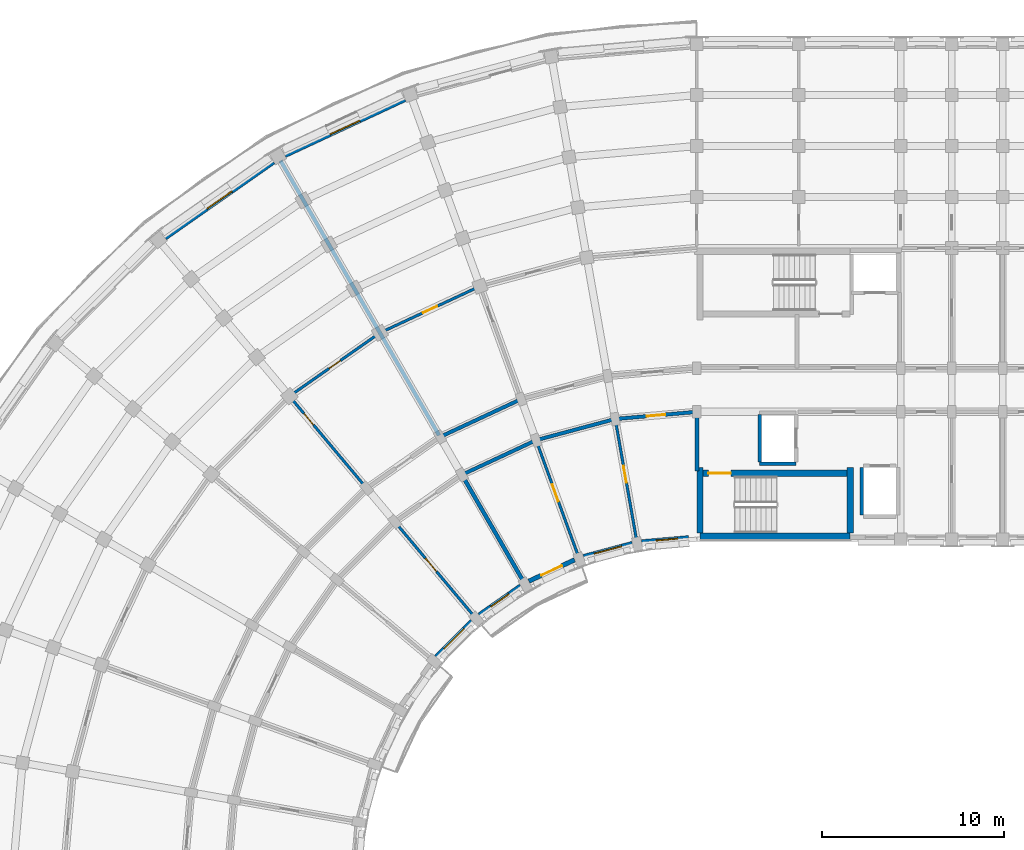
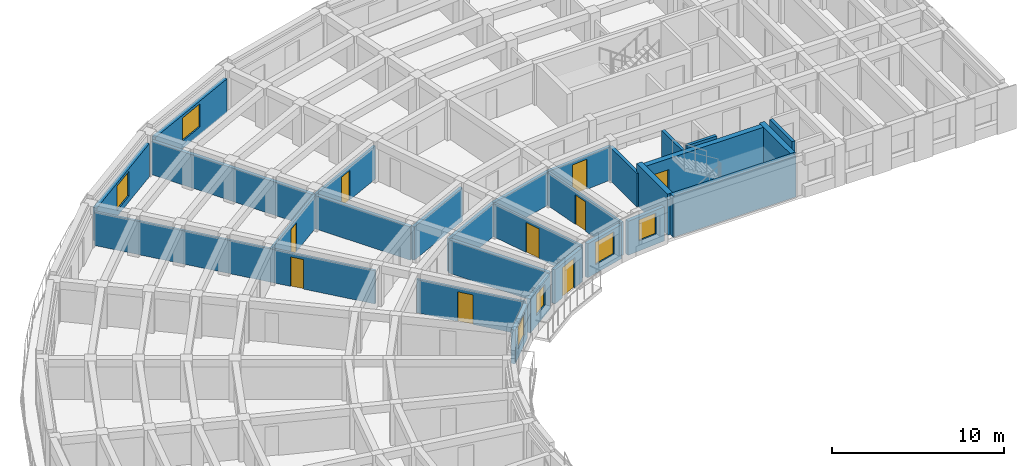
# One storey, part 26 of 57: 27 walls, 9 doors, 6 windows, 15 openings.
"""IFC4 building model written with IfcOpenShell, lengths in metres."""

from ifc_helpers import new_model, si_unit, direction, frame, frame_2d, origin, place, context, subcontext, project, spatial, rectangle, extrude, material, layer, layer_set, type_object, element, fill, save


model = new_model("IFC4")

# Units and contexts
model_context = context("Model", 3, precision=1e-05, world=origin(), true_north=direction((0.0, 1.0)))
body_context = subcontext(model_context, "Body", "Model", "MODEL_VIEW")
ifc_project = project(units=[si_unit("LENGTHUNIT", "METRE"), si_unit("AREAUNIT", "SQUARE_METRE"), si_unit("VOLUMEUNIT", "CUBIC_METRE"), si_unit("PLANEANGLEUNIT", "RADIAN"), si_unit("MASSUNIT", "GRAM", prefix="KILO")], contexts=[model_context])

# Site, building, storey
site_placement = place(None, origin())
site = spatial("IfcSite", under=ifc_project, at=site_placement, CompositionType="ELEMENT")
building_placement = place(site_placement, origin())
building = spatial("IfcBuilding", under=site, at=building_placement, Name="Kiranvali Square Residences", CompositionType="ELEMENT")
storey_placement = place(building_placement, frame((0.0, 0.0, 18.14990234375)))
storey = spatial("IfcBuildingStorey", under=building, at=storey_placement, Name="L05", CompositionType="ELEMENT", Elevation=18.14990234375)

# Wall, opening, door
ifc_material_1 = material(Name="Autoclaved aerated concrete blockwork masonry", Category="masonry")
ifc_layer_1 = layer(ifc_material_1, 0.199951171875)
ifc_layer_set_1 = layer_set([ifc_layer_1], Name="Autoclaved aerated concrete blockwork masonry")
wall_type_1 = type_object("IfcWallType", Name="WL-COR-200", PredefinedType="STANDARD", material=ifc_layer_set_1)
wall_1_placement = place(storey_placement, frame((48.199951171875, 113.60009765625, 0.0), z_axis=(0.0, 0.0, 1.0), x_axis=(-0.996191949488, -0.087187153726, 0.0)))
wall_1 = element("IfcWall", 1, at=wall_1_placement, inside=storey, type_object=wall_type_1, Name="L05 architectural wall WL-L05-A-CCI-0", PredefinedType="STANDARD", context=body_context, shape_type="SweptSolid", body=[
    extrude(rectangle(XDim=4.4970703125, YDim=0.199951171875, at=frame_2d((2.24853515625, 0.0))), origin(), (0.0, 0.0, 1.0), 2.3720703125),
])
opening_1_placement = place(wall_1_placement, frame((1.728515625, 0.0, 0.0)))
opening_1 = element("IfcOpeningElement", 2, at=opening_1_placement, cuts=wall_1, Name="Opening FD-APT-60B", PredefinedType="OPENING", context=body_context, shape_type="SweptSolid", body=[
    extrude(rectangle(XDim=1.0400390625, YDim=2.14990234375, at=frame_2d((0.52001953125, 1.074951171875))), frame((0.0, 0.10986328125, 0.0), z_axis=(0.0, -1.0, 0.0), x_axis=(1.0, 0.0, 0.0)), (0.0, 0.0, 1.0), 0.219970703125),
])
ifc_material_2 = material(Name="Fire-rated acoustic hardwood and mineral-core door assembly", Category="wood")
door_type_1 = type_object("IfcDoorType", Name="DR-APT-1040", OperationType="NOTDEFINED", PredefinedType="DOOR", material=ifc_material_2)
door_1_placement = place(opening_1_placement, frame((1.0400390625, 0.0, 0.0), z_axis=(0.0, 0.0, 1.0), x_axis=(-1.0, 0.0, 0.0)))
door_1 = element("IfcDoor", 3, at=door_1_placement, inside=storey, type_object=door_type_1, Name="L05 door DR-L05-0382 (DR-APT-1040)", OperationType="SINGLE_SWING_RIGHT", OverallHeight=2.14990234375, OverallWidth=1.0400390625, PredefinedType="DOOR", context=body_context, shape_type="SweptSolid", body=[
    extrude(rectangle(XDim=1.0400390625, YDim=2.14990234375, at=frame_2d((0.52001953125, 1.074951171875))), frame((0.0, 0.02490234375, 0.0), z_axis=(0.0, -1.0, 0.0), x_axis=(1.0, 0.0, 0.0)), (0.0, 0.0, 1.0), 0.050048828125),
])
fill(opening_1, door_1)

# Walls
for number, where, z_axis, x_axis, name in (
    (4, (43.719970703125, 113.2080078125, 0.0), (0.0, 0.0, 1.0), (-0.965934240054, -0.258787642463, 0.0), "L05 architectural wall WL-L05-A-CCI-1"),
    (5, (39.3759765625, 112.044189453125, 0.0), (0.0, 0.0, 1.0), (-0.906307919131, -0.422617978463, 0.0), "L05 architectural wall WL-L05-A-CCI-2"),
):
    element("IfcWall", number, at=place(storey_placement, frame(where, z_axis=z_axis, x_axis=x_axis)), inside=storey, type_object=wall_type_1, Name=name, PredefinedType="STANDARD", context=body_context, shape_type="SweptSolid", body=[
        extrude(rectangle(XDim=4.497314453125, YDim=0.199951171875, at=frame_2d((2.24853515625, 0.0))), origin(), (0.0, 0.0, 1.0), 2.3720703125),
    ])
wall_2_placement = place(storey_placement, frame((38.554931640625, 114.29931640625, 0.0), z_axis=(0.0, 0.0, 1.0), x_axis=(-0.906302381024, -0.422629854778, 0.0)))
element("IfcWall", 6, at=wall_2_placement, inside=storey, type_object=wall_type_1, Name="L05 architectural wall WL-L05-A-CCO-2", PredefinedType="STANDARD", context=body_context, shape_type="SweptSolid", body=[
    extrude(rectangle(XDim=4.915283203125, YDim=0.199951171875, at=frame_2d((2.45751953125, 0.0))), origin(), (0.0, 0.0, 1.0), 2.3720703125),
])
ifc_layer_2 = layer(ifc_material_1, 0.219970703125)
ifc_layer_set_2 = layer_set([ifc_layer_2], Name="Autoclaved aerated concrete blockwork masonry")
wall_type_2 = type_object("IfcWallType", Name="WL-DEM-220", PredefinedType="STANDARD", material=ifc_layer_set_2)
wall_3_placement = place(storey_placement, frame((48.199951171875, 110.35009765625, 0.0), z_axis=(0.0, 0.0, 1.0), x_axis=(0.0, 1.0, 0.0)))
element("IfcWall", 7, at=wall_3_placement, inside=storey, type_object=wall_type_2, Name="L05 architectural wall WL-L05-A-RADI-0", PredefinedType="STANDARD", context=body_context, shape_type="SweptSolid", body=[
    extrude(rectangle(XDim=3.199951171875, YDim=0.219970703125, at=frame_2d((1.60009765625, 0.0))), origin(), (0.0, 0.0, 1.0), 2.3720703125),
])
wall_4_placement = place(storey_placement, frame((38.699951171875, 104.25439453125, 0.0), z_axis=(0.0, 0.0, 1.0), x_axis=(-0.499997969693, 0.866026575979, 0.0)))
element("IfcWall", 8, at=wall_4_placement, inside=storey, type_object=wall_type_2, Name="L05 architectural wall WL-L05-A-RADI-3", PredefinedType="STANDARD", context=body_context, shape_type="SweptSolid", body=[
    extrude(rectangle(XDim=6.75, YDim=0.219970703125, at=frame_2d((3.375, 0.0))), origin(), (0.0, 0.0, 1.0), 2.3720703125),
])
wall_5_placement = place(storey_placement, frame((34.050048828125, 112.30859375, 0.0), z_axis=(0.0, 0.0, 1.0), x_axis=(-0.499997843263, 0.866026648973, 0.0)))
element("IfcWall", 9, at=wall_5_placement, inside=storey, type_object=wall_type_2, Name="L05 architectural wall WL-L05-A-RADO-3", PredefinedType="STANDARD", context=body_context, shape_type="SweptSolid", body=[
    extrude(rectangle(XDim=17.419921875, YDim=0.219970703125, at=frame_2d((8.7099609375, 0.0))), origin(), (0.0, 0.0, 1.0), 2.3720703125),
])

# Wall, opening, window
ifc_material_3 = material(Name="Breathable lime-rendered clay brick masonry", Category="masonry")
ifc_layer_3 = layer(ifc_material_3, 0.25)
ifc_layer_set_3 = layer_set([ifc_layer_3], Name="Breathable lime-rendered clay brick masonry")
wall_type_3 = type_object("IfcWallType", Name="WL-EXT-250", PredefinedType="STANDARD", material=ifc_layer_set_3)
wall_6_placement = place(storey_placement, frame((32.17919921875, 130.753662109375, 0.0), z_axis=(0.0, 0.0, 1.0), x_axis=(-0.90630327107, -0.422627946127, 0.0)))
wall_6 = element("IfcWall", 10, at=wall_6_placement, inside=storey, type_object=wall_type_3, Name="L05 exterior wall A-L05-CRV-02", PredefinedType="STANDARD", context=body_context, shape_type="SweptSolid", body=[
    extrude(rectangle(XDim=7.2666015625, YDim=0.25, at=frame_2d((3.63330078125, 0.0))), origin(), (0.0, 0.0, 1.0), 2.3720703125),
])
opening_2_placement = place(wall_6_placement, frame((2.7333984375, 0.0, 0.52197265625)))
opening_2 = element("IfcOpeningElement", 11, at=opening_2_placement, cuts=wall_6, Name="Opening W-04", PredefinedType="OPENING", context=body_context, shape_type="SweptSolid", body=[
    extrude(rectangle(XDim=1.800048828125, YDim=1.64990234375, at=frame_2d((0.89990234375, 0.824951171875))), frame((0.0, 0.135009765625, 0.0), z_axis=(0.0, -1.0, 0.0), x_axis=(1.0, 0.0, 0.0)), (0.0, 0.0, 1.0), 0.27001953125),
])
ifc_material_4 = material(Name="Solar-control low-e double glazing", Category="glass")
window_type_1 = type_object("IfcWindowType", Name="WIN-RES-1800x1650", PartitioningType="DOUBLE_PANEL_VERTICAL", PredefinedType="WINDOW", material=ifc_material_4)
window_1_placement = place(opening_2_placement, origin())
window_1 = element("IfcWindow", 12, at=window_1_placement, inside=storey, type_object=window_type_1, Name="L05 recessed window A-L05-CRV-02", OverallHeight=1.64990234375, OverallWidth=1.800048828125, PartitioningType="DOUBLE_PANEL_VERTICAL", PredefinedType="WINDOW", context=body_context, shape_type="SweptSolid", body=[
    extrude(rectangle(XDim=1.800048828125, YDim=1.64990234375, at=frame_2d((0.89990234375, 0.824951171875))), frame((0.0, 0.030029296875, 0.0), z_axis=(0.0, -1.0, 0.0), x_axis=(1.0, 0.0, 0.0)), (0.0, 0.0, 1.0), 0.06005859375),
])
fill(opening_2, window_1)

wall_7_placement = place(storey_placement, frame((24.9638671875, 127.319091796875, 0.0), z_axis=(0.0, 0.0, 1.0), x_axis=(-0.819159308599, -0.573566061701, 0.0)))
wall_7 = element("IfcWall", 13, at=wall_7_placement, inside=storey, type_object=wall_type_3, Name="L05 exterior wall A-L05-CRV-03", PredefinedType="STANDARD", context=body_context, shape_type="SweptSolid", body=[
    extrude(rectangle(XDim=7.266845703125, YDim=0.25, at=frame_2d((3.63330078125, 0.0))), origin(), (0.0, 0.0, 1.0), 2.3720703125),
])
opening_3_placement = place(wall_7_placement, frame((2.808349609375, 0.0, 0.422119140625)))
opening_3 = element("IfcOpeningElement", 14, at=opening_3_placement, cuts=wall_7, Name="Opening W-13", PredefinedType="OPENING", context=body_context, shape_type="SweptSolid", body=[
    extrude(rectangle(XDim=1.64990234375, YDim=1.75, at=frame_2d((0.824951171875, 0.875))), frame((0.0, 0.135009765625, 0.0), z_axis=(0.0, -1.0, 0.0), x_axis=(1.0, 0.0, 0.0)), (0.0, 0.0, 1.0), 0.27001953125),
])
window_type_2 = type_object("IfcWindowType", Name="WIN-RES-1650x1750", PartitioningType="DOUBLE_PANEL_VERTICAL", PredefinedType="WINDOW", material=ifc_material_4)
window_2_placement = place(opening_3_placement, origin())
window_2 = element("IfcWindow", 15, at=window_2_placement, inside=storey, type_object=window_type_2, Name="L05 recessed window A-L05-CRV-03", OverallHeight=1.75, OverallWidth=1.64990234375, PartitioningType="DOUBLE_PANEL_VERTICAL", PredefinedType="WINDOW", context=body_context, shape_type="SweptSolid", body=[
    extrude(rectangle(XDim=1.64990234375, YDim=1.75, at=frame_2d((0.824951171875, 0.875))), frame((0.0, 0.030029296875, 0.0), z_axis=(0.0, -1.0, 0.0), x_axis=(1.0, 0.0, 0.0)), (0.0, 0.0, 1.0), 0.06005859375),
])
fill(opening_3, window_2)

wall_8_placement = place(storey_placement, frame((47.750732421875, 106.686279296875, 0.0), z_axis=(0.0, 0.0, 1.0), x_axis=(-0.996188278786, -0.087229084652, 0.0)))
wall_8 = element("IfcWall", 16, at=wall_8_placement, inside=storey, type_object=wall_type_3, Name="L05 exterior wall A-L05-GDN-00", PredefinedType="STANDARD", context=body_context, shape_type="SweptSolid", body=[
    extrude(rectangle(XDim=2.583251953125, YDim=0.25, at=frame_2d((1.29150390625, 0.0))), origin(), (0.0, 0.0, 1.0), 2.422119140625),
])
opening_4_placement = place(wall_8_placement, frame((0.5986328125, 0.0, 0.721923828125)))
opening_4 = element("IfcOpeningElement", 17, at=opening_4_placement, cuts=wall_8, Name="Opening W-06", PredefinedType="OPENING", context=body_context, shape_type="SweptSolid", body=[
    extrude(rectangle(XDim=1.199951171875, YDim=1.5, at=frame_2d((0.60009765625, 0.75))), frame((0.0, 0.135009765625, 0.0), z_axis=(0.0, -1.0, 0.0), x_axis=(1.0, 0.0, 0.0)), (0.0, 0.0, 1.0), 0.27001953125),
])
window_type_3 = type_object("IfcWindowType", Name="WIN-RES-1200x1500", PartitioningType="SINGLE_PANEL", PredefinedType="WINDOW", material=ifc_material_4)
window_3_placement = place(opening_4_placement, origin())
window_3 = element("IfcWindow", 18, at=window_3_placement, inside=storey, type_object=window_type_3, Name="L05 recessed window A-L05-GDN-00", OverallHeight=1.5, OverallWidth=1.199951171875, PartitioningType="SINGLE_PANEL", PredefinedType="WINDOW", context=body_context, shape_type="SweptSolid", body=[
    extrude(rectangle(XDim=1.199951171875, YDim=1.5, at=frame_2d((0.60009765625, 0.75))), frame((0.0, 0.030029296875, 0.0), z_axis=(0.0, -1.0, 0.0), x_axis=(1.0, 0.0, 0.0)), (0.0, 0.0, 1.0), 0.06005859375),
])
fill(opening_4, window_3)

wall_9_placement = place(storey_placement, frame((44.658203125, 106.369384765625, 0.0), z_axis=(0.0, 0.0, 1.0), x_axis=(-0.965935855992, -0.25878161084, 0.0)))
wall_9 = element("IfcWall", 19, at=wall_9_placement, inside=storey, type_object=wall_type_3, Name="L05 exterior wall A-L05-GDN-01", PredefinedType="STANDARD", context=body_context, shape_type="SweptSolid", body=[
    extrude(rectangle(XDim=2.769775390625, YDim=0.25, at=frame_2d((1.384765625, 0.0))), origin(), (0.0, 0.0, 1.0), 2.422119140625),
])
opening_5_placement = place(wall_9_placement, frame((0.60986328125, 0.0, 0.6220703125)))
opening_5 = element("IfcOpeningElement", 20, at=opening_5_placement, cuts=wall_9, Name="Opening W-18", PredefinedType="OPENING", context=body_context, shape_type="SweptSolid", body=[
    extrude(rectangle(XDim=1.550048828125, YDim=1.60009765625, at=frame_2d((0.77490234375, 0.800048828125))), frame((0.0, 0.135009765625, 0.0), z_axis=(0.0, -1.0, 0.0), x_axis=(1.0, 0.0, 0.0)), (0.0, 0.0, 1.0), 0.27001953125),
])
window_type_4 = type_object("IfcWindowType", Name="WIN-GDN-1550x1600", PartitioningType="DOUBLE_PANEL_VERTICAL", PredefinedType="WINDOW", material=ifc_material_4)
window_4_placement = place(opening_5_placement, origin())
window_4 = element("IfcWindow", 21, at=window_4_placement, inside=storey, type_object=window_type_4, Name="L05 recessed window A-L05-GDN-01", OverallHeight=1.60009765625, OverallWidth=1.550048828125, PartitioningType="DOUBLE_PANEL_VERTICAL", PredefinedType="WINDOW", context=body_context, shape_type="SweptSolid", body=[
    extrude(rectangle(XDim=1.550048828125, YDim=1.60009765625, at=frame_2d((0.77490234375, 0.800048828125))), frame((0.0, 0.030029296875, 0.0), z_axis=(0.0, -1.0, 0.0), x_axis=(1.0, 0.0, 0.0)), (0.0, 0.0, 1.0), 0.06005859375),
])
fill(opening_5, window_4)

# Wall, opening, door
wall_10_placement = place(storey_placement, frame((41.4873046875, 105.472412109375, 0.0), z_axis=(0.0, 0.0, 1.0), x_axis=(-0.906293449611, -0.422649007088, 0.0)))
wall_10 = element("IfcWall", 22, at=wall_10_placement, inside=storey, type_object=wall_type_3, Name="L05 exterior wall A-L05-GDN-02", PredefinedType="STANDARD", context=body_context, shape_type="SweptSolid", body=[
    extrude(rectangle(XDim=2.769775390625, YDim=0.25, at=frame_2d((1.384765625, 0.0))), origin(), (0.0, 0.0, 1.0), 2.422119140625),
])
opening_6_placement = place(wall_10_placement, frame((0.7548828125, 0.0, 0.0)))
opening_6 = element("IfcOpeningElement", 23, at=opening_6_placement, cuts=wall_10, Name="Opening ED-BAL-2", PredefinedType="OPENING", context=body_context, shape_type="SweptSolid", body=[
    extrude(rectangle(XDim=1.260009765625, YDim=2.14990234375, at=frame_2d((0.6298828125, 1.074951171875))), frame((0.0, 0.135009765625, 0.0), z_axis=(0.0, -1.0, 0.0), x_axis=(1.0, 0.0, 0.0)), (0.0, 0.0, 1.0), 0.27001953125),
])
ifc_material_5 = material(Name="Anodised bronze aluminium framing", Category="aluminium")
door_type_2 = type_object("IfcDoorType", Name="DR-BAL-1260", OperationType="NOTDEFINED", PredefinedType="DOOR", material=ifc_material_5)
door_2_placement = place(opening_6_placement, origin())
door_2 = element("IfcDoor", 24, at=door_2_placement, inside=storey, type_object=door_type_2, Name="L05 balcony terrace door", OperationType="SINGLE_SWING_LEFT", OverallHeight=2.14990234375, OverallWidth=1.260009765625, PredefinedType="DOOR", context=body_context, shape_type="SweptSolid", body=[
    extrude(rectangle(XDim=1.260009765625, YDim=2.14990234375, at=frame_2d((0.6298828125, 1.074951171875))), frame((0.0, 0.02490234375, 0.0), z_axis=(0.0, -1.0, 0.0), x_axis=(1.0, 0.0, 0.0)), (0.0, 0.0, 1.0), 0.050048828125),
])
fill(opening_6, door_2)

# Wall, opening, window
wall_11_placement = place(storey_placement, frame((38.5205078125, 104.038330078125, 0.0), z_axis=(0.0, 0.0, 1.0), x_axis=(-0.819111815273, -0.573633885053, 0.0)))
wall_11 = element("IfcWall", 25, at=wall_11_placement, inside=storey, type_object=wall_type_3, Name="L05 exterior wall A-L05-GDN-03", PredefinedType="STANDARD", context=body_context, shape_type="SweptSolid", body=[
    extrude(rectangle(XDim=2.769775390625, YDim=0.25, at=frame_2d((1.384765625, 0.0))), origin(), (0.0, 0.0, 1.0), 2.422119140625),
])
opening_7_placement = place(wall_11_placement, frame((0.784912109375, 0.0, 0.721923828125)))
opening_7 = element("IfcOpeningElement", 26, at=opening_7_placement, cuts=wall_11, Name="Opening W-06", PredefinedType="OPENING", context=body_context, shape_type="SweptSolid", body=[
    extrude(rectangle(XDim=1.199951171875, YDim=1.5, at=frame_2d((0.60009765625, 0.75))), frame((0.0, 0.135009765625, 0.0), z_axis=(0.0, -1.0, 0.0), x_axis=(1.0, 0.0, 0.0)), (0.0, 0.0, 1.0), 0.27001953125),
])
window_5_placement = place(opening_7_placement, origin())
window_5 = element("IfcWindow", 27, at=window_5_placement, inside=storey, type_object=window_type_3, Name="L05 recessed window A-L05-GDN-03", OverallHeight=1.5, OverallWidth=1.199951171875, PartitioningType="SINGLE_PANEL", PredefinedType="WINDOW", context=body_context, shape_type="SweptSolid", body=[
    extrude(rectangle(XDim=1.199951171875, YDim=1.5, at=frame_2d((0.60009765625, 0.75))), frame((0.0, 0.030029296875, 0.0), z_axis=(0.0, -1.0, 0.0), x_axis=(1.0, 0.0, 0.0)), (0.0, 0.0, 1.0), 0.06005859375),
])
fill(opening_7, window_5)

wall_12_placement = place(storey_placement, frame((35.847900390625, 102.11083984375, 0.0), z_axis=(0.0, 0.0, 1.0), x_axis=(-0.707106781187, -0.707106781187, 0.0)))
wall_12 = element("IfcWall", 28, at=wall_12_placement, inside=storey, type_object=wall_type_3, Name="L05 exterior wall A-L05-GDN-04", PredefinedType="STANDARD", context=body_context, shape_type="SweptSolid", body=[
    extrude(rectangle(XDim=2.77001953125, YDim=0.25, at=frame_2d((1.385009765625, 0.0))), origin(), (0.0, 0.0, 1.0), 2.422119140625),
])
opening_8_placement = place(wall_12_placement, frame((0.60986328125, 0.0, 0.6220703125)))
opening_8 = element("IfcOpeningElement", 29, at=opening_8_placement, cuts=wall_12, Name="Opening W-18", PredefinedType="OPENING", context=body_context, shape_type="SweptSolid", body=[
    extrude(rectangle(XDim=1.550048828125, YDim=1.60009765625, at=frame_2d((0.77490234375, 0.800048828125))), frame((0.0, 0.135009765625, 0.0), z_axis=(0.0, -1.0, 0.0), x_axis=(1.0, 0.0, 0.0)), (0.0, 0.0, 1.0), 0.27001953125),
])
window_6_placement = place(opening_8_placement, origin())
window_6 = element("IfcWindow", 30, at=window_6_placement, inside=storey, type_object=window_type_4, Name="L05 recessed window A-L05-GDN-04", OverallHeight=1.60009765625, OverallWidth=1.550048828125, PartitioningType="DOUBLE_PANEL_VERTICAL", PredefinedType="WINDOW", context=body_context, shape_type="SweptSolid", body=[
    extrude(rectangle(XDim=1.550048828125, YDim=1.60009765625, at=frame_2d((0.77490234375, 0.800048828125))), frame((0.0, 0.030029296875, 0.0), z_axis=(0.0, -1.0, 0.0), x_axis=(1.0, 0.0, 0.0)), (0.0, 0.0, 1.0), 0.06005859375),
])
fill(opening_8, window_6)

# Wall, opening, door
ifc_material_6 = material(Name="Acoustic gypsum board drylined partition", Category="gypsum")
ifc_layer_4 = layer(ifc_material_6, 0.14990234375)
ifc_layer_set_4 = layer_set([ifc_layer_4], Name="Acoustic gypsum board drylined partition")
wall_type_4 = type_object("IfcWallType", Name="WL-PRT-150", PredefinedType="PARTITIONING", material=ifc_layer_set_4)
wall_13_placement = place(storey_placement, frame((44.900634765625, 106.51123046875, 0.0), z_axis=(0.0, 0.0, 1.0), x_axis=(-0.173647089161, 0.984807944945, 0.0)))
wall_13 = element("IfcWall", 31, at=wall_13_placement, inside=storey, type_object=wall_type_4, Name="L05 architectural wall WL-L05-A-RADI-1", PredefinedType="PARTITIONING", context=body_context, shape_type="SweptSolid", body=[
    extrude(rectangle(XDim=6.75, YDim=0.14990234375, at=frame_2d((3.375, 0.0))), origin(), (0.0, 0.0, 1.0), 2.3720703125),
])
opening_9_placement = place(wall_13_placement, frame((3.242431640625, 0.0, 0.0)))
opening_9 = element("IfcOpeningElement", 32, at=opening_9_placement, cuts=wall_13, Name="Opening ID-2", PredefinedType="OPENING", context=body_context, shape_type="SweptSolid", body=[
    extrude(rectangle(XDim=0.93994140625, YDim=2.10009765625, at=frame_2d((0.469970703125, 1.050048828125))), frame((0.0, 0.0849609375, 0.0), z_axis=(0.0, -1.0, 0.0), x_axis=(1.0, 0.0, 0.0)), (0.0, 0.0, 1.0), 0.169921875),
])
ifc_material_7 = material(Name="Solid seasoned teak hardwood joinery", Category="wood")
door_type_3 = type_object("IfcDoorType", Name="DR-INT-940", OperationType="NOTDEFINED", PredefinedType="DOOR", material=ifc_material_7)
door_3_placement = place(opening_9_placement, frame((0.93994140625, 0.0, 0.0), z_axis=(0.0, 0.0, 1.0), x_axis=(-1.0, 0.0, 0.0)))
door_3 = element("IfcDoor", 33, at=door_3_placement, inside=storey, type_object=door_type_3, Name="L05 door DR-L05-0358 (DR-INT-940)", OperationType="SINGLE_SWING_RIGHT", OverallHeight=2.10009765625, OverallWidth=0.93994140625, PredefinedType="DOOR", context=body_context, shape_type="SweptSolid", body=[
    extrude(rectangle(XDim=0.93994140625, YDim=2.10009765625, at=frame_2d((0.469970703125, 1.050048828125))), frame((0.0, 0.02490234375, 0.0), z_axis=(0.0, -1.0, 0.0), x_axis=(1.0, 0.0, 0.0)), (0.0, 0.0, 1.0), 0.050048828125),
])
fill(opening_9, door_3)

wall_14_placement = place(storey_placement, frame((41.70166015625, 105.654052734375, 0.0), z_axis=(0.0, 0.0, 1.0), x_axis=(-0.342010221662, 0.939696231917, 0.0)))
wall_14 = element("IfcWall", 34, at=wall_14_placement, inside=storey, type_object=wall_type_4, Name="L05 architectural wall WL-L05-A-RADI-2", PredefinedType="PARTITIONING", context=body_context, shape_type="SweptSolid", body=[
    extrude(rectangle(XDim=6.75, YDim=0.14990234375, at=frame_2d((3.375, 0.0))), origin(), (0.0, 0.0, 1.0), 2.3720703125),
])
opening_10_placement = place(wall_14_placement, frame((3.222412109375, 0.0, 0.0)))
opening_10 = element("IfcOpeningElement", 35, at=opening_10_placement, cuts=wall_14, Name="Opening ID-3", PredefinedType="OPENING", context=body_context, shape_type="SweptSolid", body=[
    extrude(rectangle(XDim=0.97998046875, YDim=2.1201171875, at=frame_2d((0.489990234375, 1.06005859375))), frame((0.0, 0.0849609375, 0.0), z_axis=(0.0, -1.0, 0.0), x_axis=(1.0, 0.0, 0.0)), (0.0, 0.0, 1.0), 0.169921875),
])
door_type_4 = type_object("IfcDoorType", Name="DR-INT-980", OperationType="NOTDEFINED", PredefinedType="DOOR", material=ifc_material_7)
door_4_placement = place(opening_10_placement, origin())
door_4 = element("IfcDoor", 36, at=door_4_placement, inside=storey, type_object=door_type_4, Name="L05 door DR-L05-0359 (DR-INT-980)", OperationType="SINGLE_SWING_LEFT", OverallHeight=2.1201171875, OverallWidth=0.97998046875, PredefinedType="DOOR", context=body_context, shape_type="SweptSolid", body=[
    extrude(rectangle(XDim=0.97998046875, YDim=2.1201171875, at=frame_2d((0.489990234375, 1.06005859375))), frame((0.0, 0.02490234375, 0.0), z_axis=(0.0, -1.0, 0.0), x_axis=(1.0, 0.0, 0.0)), (0.0, 0.0, 1.0), 0.050048828125),
])
fill(opening_10, door_4)

wall_15_placement = place(storey_placement, frame((35.987060546875, 102.354736328125, 0.0), z_axis=(0.0, 0.0, 1.0), x_axis=(-0.642784846501, 0.766046761698, 0.0)))
wall_15 = element("IfcWall", 37, at=wall_15_placement, inside=storey, type_object=wall_type_4, Name="L05 architectural wall WL-L05-A-RADI-4", PredefinedType="PARTITIONING", context=body_context, shape_type="SweptSolid", body=[
    extrude(rectangle(XDim=6.75, YDim=0.14990234375, at=frame_2d((3.375, 0.0))), origin(), (0.0, 0.0, 1.0), 2.3720703125),
])
opening_11_placement = place(wall_15_placement, frame((3.242431640625, 0.0, 0.0)))
opening_11 = element("IfcOpeningElement", 38, at=opening_11_placement, cuts=wall_15, Name="Opening ID-2", PredefinedType="OPENING", context=body_context, shape_type="SweptSolid", body=[
    extrude(rectangle(XDim=0.93994140625, YDim=2.10009765625, at=frame_2d((0.469970703125, 1.050048828125))), frame((0.0, 0.0849609375, 0.0), z_axis=(0.0, -1.0, 0.0), x_axis=(1.0, 0.0, 0.0)), (0.0, 0.0, 1.0), 0.169921875),
])
door_5_placement = place(opening_11_placement, origin())
door_5 = element("IfcDoor", 39, at=door_5_placement, inside=storey, type_object=door_type_3, Name="L05 door DR-L05-0361 (DR-INT-940)", OperationType="SINGLE_SWING_LEFT", OverallHeight=2.10009765625, OverallWidth=0.93994140625, PredefinedType="DOOR", context=body_context, shape_type="SweptSolid", body=[
    extrude(rectangle(XDim=0.93994140625, YDim=2.10009765625, at=frame_2d((0.469970703125, 1.050048828125))), frame((0.0, 0.02490234375, 0.0), z_axis=(0.0, -1.0, 0.0), x_axis=(1.0, 0.0, 0.0)), (0.0, 0.0, 1.0), 0.050048828125),
])
fill(opening_11, door_5)

wall_16_placement = place(storey_placement, frame((30.009033203125, 109.47900390625, 0.0), z_axis=(0.0, 0.0, 1.0), x_axis=(-0.642784757967, 0.766046835987, 0.0)))
wall_16 = element("IfcWall", 40, at=wall_16_placement, inside=storey, type_object=wall_type_4, Name="L05 architectural wall WL-L05-A-RADO-4", PredefinedType="PARTITIONING", context=body_context, shape_type="SweptSolid", body=[
    extrude(rectangle(XDim=17.419921875, YDim=0.14990234375, at=frame_2d((8.7099609375, 0.0))), origin(), (0.0, 0.0, 1.0), 2.3720703125),
])
opening_12_placement = place(wall_16_placement, frame((4.44970703125, 0.0, 0.0)))
opening_12 = element("IfcOpeningElement", 41, at=opening_12_placement, cuts=wall_16, Name="Opening ID-WET", PredefinedType="OPENING", context=body_context, shape_type="SweptSolid", body=[
    extrude(rectangle(XDim=0.800048828125, YDim=2.10009765625, at=frame_2d((0.39990234375, 1.050048828125))), frame((0.0, 0.0849609375, 0.0), z_axis=(0.0, -1.0, 0.0), x_axis=(1.0, 0.0, 0.0)), (0.0, 0.0, 1.0), 0.169921875),
])
door_type_5 = type_object("IfcDoorType", Name="DR-WET-800", OperationType="NOTDEFINED", PredefinedType="DOOR", material=ifc_material_7)
door_6_placement = place(opening_12_placement, frame((0.800048828125, 0.0, 0.0), z_axis=(0.0, 0.0, 1.0), x_axis=(-1.0, 0.0, 0.0)))
door_6 = element("IfcDoor", 42, at=door_6_placement, inside=storey, type_object=door_type_5, Name="L05 door DR-L05-0362 (DR-WET-800)", OperationType="SINGLE_SWING_RIGHT", OverallHeight=2.10009765625, OverallWidth=0.800048828125, PredefinedType="DOOR", context=body_context, shape_type="SweptSolid", body=[
    extrude(rectangle(XDim=0.800048828125, YDim=2.10009765625, at=frame_2d((0.39990234375, 1.050048828125))), frame((0.0, 0.02490234375, 0.0), z_axis=(0.0, -1.0, 0.0), x_axis=(1.0, 0.0, 0.0)), (0.0, 0.0, 1.0), 0.050048828125),
])
fill(opening_12, door_6)

# Walls
ifc_layer_5 = layer(ifc_material_1, 0.199951171875)
ifc_layer_set_5 = layer_set([ifc_layer_5], Name="Autoclaved aerated concrete blockwork masonry")
wall_type_5 = type_object("IfcWallType", Name="WL-SHF-200", PredefinedType="STANDARD", material=ifc_layer_set_5)
wall_17_placement = place(storey_placement, frame((57.25, 107.949951171875, 0.0), z_axis=(0.0, 0.0, 1.0), x_axis=(0.0, 1.0, 0.0)))
element("IfcWall", 43, at=wall_17_placement, inside=storey, type_object=wall_type_5, Name="L05 architectural wall WL-L05-A-LP1-S1", PredefinedType="STANDARD", context=body_context, shape_type="SweptSolid", body=[
    extrude(rectangle(XDim=2.60009765625, YDim=0.199951171875, at=frame_2d((1.300048828125, 0.0))), origin(), (0.0, 0.0, 1.0), 2.93017578125),
])
wall_18_placement = place(storey_placement, frame((51.64990234375, 110.75, 0.0), z_axis=(0.0, 0.0, 1.0), x_axis=(1.0, 0.0, 0.0)))
element("IfcWall", 44, at=wall_18_placement, inside=storey, type_object=wall_type_5, Name="L05 architectural wall WL-L05-A-LP2-S0", PredefinedType="STANDARD", context=body_context, shape_type="SweptSolid", body=[
    extrude(rectangle(XDim=2.0, YDim=0.199951171875, at=frame_2d((1.0, 0.0))), origin(), (0.0, 0.0, 1.0), 2.93017578125),
])
wall_19_placement = place(storey_placement, frame((51.64990234375, 110.85009765625, 0.0), z_axis=(0.0, 0.0, 1.0), x_axis=(0.0, 1.0, 0.0)))
element("IfcWall", 45, at=wall_19_placement, inside=storey, type_object=wall_type_5, Name="L05 architectural wall WL-L05-A-LP2-S1", PredefinedType="STANDARD", context=body_context, shape_type="SweptSolid", body=[
    extrude(rectangle(XDim=2.599853515625, YDim=0.199951171875, at=frame_2d((1.2998046875, 0.0))), origin(), (0.0, 0.0, 1.0), 2.3720703125),
])
ifc_material_8 = material(Name="Concrete M50 (50 MPa)", Category="concrete")
ifc_layer_6 = layer(ifc_material_8, 0.35009765625)
ifc_layer_set_6 = layer_set([ifc_layer_6], Name="Concrete M50 (50 MPa)")
wall_type_6 = type_object("IfcWallType", Name="WL-SHR-350", PredefinedType="SHEAR", material=ifc_layer_set_6)
wall_20_placement = place(storey_placement, frame((48.375, 106.77490234375, 0.0), z_axis=(0.0, 0.0, 1.0), x_axis=(1.0, 0.0, 0.0)))
element("IfcWall", 46, at=wall_20_placement, inside=storey, type_object=wall_type_6, Name="Block A core shear wall SW-A2-OUT-L05", PredefinedType="SHEAR", context=body_context, shape_type="SweptSolid", body=[
    extrude(rectangle(XDim=8.25, YDim=0.35009765625, at=frame_2d((4.125, 0.0))), origin(), (0.0, 0.0, 1.0), 2.93017578125),
])

# Wall, opening, door
wall_21_placement = place(storey_placement, frame((48.550048828125, 110.22509765625, 0.0), z_axis=(0.0, 0.0, 1.0), x_axis=(1.0, 0.0, 0.0)))
wall_21 = element("IfcWall", 47, at=wall_21_placement, inside=storey, type_object=wall_type_6, Name="Block A core shear wall SW-A2-IN-L05", PredefinedType="SHEAR", context=body_context, shape_type="SweptSolid", body=[
    extrude(rectangle(XDim=7.89990234375, YDim=0.35009765625, at=frame_2d((3.949951171875, 0.0))), origin(), (0.0, 0.0, 1.0), 2.93017578125),
])
opening_13_placement = place(wall_21_placement, frame((0.280029296875, 0.0, 0.0)))
opening_13 = element("IfcOpeningElement", 48, at=opening_13_placement, cuts=wall_21, Name="Opening FD-ST-120", PredefinedType="OPENING", context=body_context, shape_type="SweptSolid", body=[
    extrude(rectangle(XDim=1.239990234375, YDim=2.14990234375, at=frame_2d((0.6201171875, 1.074951171875))), frame((0.0, 0.18505859375, 0.0), z_axis=(0.0, -1.0, 0.0), x_axis=(1.0, 0.0, 0.0)), (0.0, 0.0, 1.0), 0.3701171875),
])
door_type_6 = type_object("IfcDoorType", Name="DR-FD120-1200", OperationType="NOTDEFINED", PredefinedType="DOOR", material=ifc_material_2)
door_7_placement = place(opening_13_placement, frame((1.239990234375, 0.0, 0.0), z_axis=(0.0, 0.0, 1.0), x_axis=(-1.0, 0.0, 0.0)))
door_7 = element("IfcDoor", 49, at=door_7_placement, inside=storey, type_object=door_type_6, Name="L05 door DR-L05-0334 (DR-FD120-1200)", OperationType="SINGLE_SWING_RIGHT", OverallHeight=2.14990234375, OverallWidth=1.239990234375, PredefinedType="DOOR", context=body_context, shape_type="SweptSolid", body=[
    extrude(rectangle(XDim=1.239990234375, YDim=2.14990234375, at=frame_2d((0.6201171875, 1.074951171875))), frame((0.0, 0.02490234375, 0.0), z_axis=(0.0, -1.0, 0.0), x_axis=(1.0, 0.0, 0.0)), (0.0, 0.0, 1.0), 0.050048828125),
])
fill(opening_13, door_7)

# Walls
for number, where, z_axis, x_axis, name in (
    (50, (48.375, 106.949951171875, 0.0), (0.0, 0.0, 1.0), (0.0, 1.0, 0.0), "Block A core shear wall SW-A2-NEAR-L05"),
    (51, (56.625, 106.949951171875, 0.0), (0.0, 0.0, 1.0), (0.0, 1.0, 0.0), "Block A core shear wall SW-A2-FAR-L05"),
):
    element("IfcWall", number, at=place(storey_placement, frame(where, z_axis=z_axis, x_axis=x_axis)), inside=storey, type_object=wall_type_6, Name=name, PredefinedType="SHEAR", context=body_context, shape_type="SweptSolid", body=[
        extrude(rectangle(XDim=3.60009765625, YDim=0.35009765625, at=frame_2d((1.800048828125, 0.0))), origin(), (0.0, 0.0, 1.0), 2.93017578125),
    ])

# Wall, opening, door
ifc_layer_7 = layer(ifc_material_1, 0.14990234375)
ifc_layer_set_7 = layer_set([ifc_layer_7], Name="Autoclaved aerated concrete blockwork masonry")
wall_type_7 = type_object("IfcWallType", Name="WL-WET-150", PredefinedType="PLUMBINGWALL", material=ifc_layer_set_7)
wall_22_placement = place(storey_placement, frame((36.297607421875, 120.501220703125, 0.0), z_axis=(0.0, 0.0, 1.0), x_axis=(-0.906312656069, -0.42260781991, 0.0)))
wall_22 = element("IfcWall", 52, at=wall_22_placement, inside=storey, type_object=wall_type_7, Name="L05 architectural wall WL-L05-A-CWET-2", PredefinedType="PLUMBINGWALL", context=body_context, shape_type="SweptSolid", body=[
    extrude(rectangle(XDim=6.06591796875, YDim=0.14990234375, at=frame_2d((3.032958984375, 0.0))), origin(), (0.0, 0.0, 1.0), 2.3720703125),
])
opening_14_placement = place(wall_22_placement, frame((2.613037109375, 0.0, 0.0)))
opening_14 = element("IfcOpeningElement", 53, at=opening_14_placement, cuts=wall_22, Name="Opening ID-WET2", PredefinedType="OPENING", context=body_context, shape_type="SweptSolid", body=[
    extrude(rectangle(XDim=0.840087890625, YDim=2.10009765625, at=frame_2d((0.419921875, 1.050048828125))), frame((0.0, 0.0849609375, 0.0), z_axis=(0.0, -1.0, 0.0), x_axis=(1.0, 0.0, 0.0)), (0.0, 0.0, 1.0), 0.169921875),
])
door_type_7 = type_object("IfcDoorType", Name="DR-WET-840", OperationType="NOTDEFINED", PredefinedType="DOOR", material=ifc_material_7)
door_8_placement = place(opening_14_placement, frame((0.840087890625, 0.0, 0.0), z_axis=(0.0, 0.0, 1.0), x_axis=(-1.0, 0.0, 0.0)))
door_8 = element("IfcDoor", 54, at=door_8_placement, inside=storey, type_object=door_type_7, Name="L05 door DR-L05-0372 (DR-WET-840)", OperationType="SINGLE_SWING_RIGHT", OverallHeight=2.10009765625, OverallWidth=0.840087890625, PredefinedType="DOOR", context=body_context, shape_type="SweptSolid", body=[
    extrude(rectangle(XDim=0.840087890625, YDim=2.10009765625, at=frame_2d((0.419921875, 1.050048828125))), frame((0.0, 0.02490234375, 0.0), z_axis=(0.0, -1.0, 0.0), x_axis=(1.0, 0.0, 0.0)), (0.0, 0.0, 1.0), 0.050048828125),
])
fill(opening_14, door_8)

wall_23_placement = place(storey_placement, frame((30.800048828125, 117.937744140625, 0.0), z_axis=(0.0, 0.0, 1.0), x_axis=(-0.81913926159, -0.573594691504, 0.0)))
wall_23 = element("IfcWall", 55, at=wall_23_placement, inside=storey, type_object=wall_type_7, Name="L05 architectural wall WL-L05-A-CWET-3", PredefinedType="PLUMBINGWALL", context=body_context, shape_type="SweptSolid", body=[
    extrude(rectangle(XDim=6.066162109375, YDim=0.14990234375, at=frame_2d((3.033203125, 0.0))), origin(), (0.0, 0.0, 1.0), 2.3720703125),
])
opening_15_placement = place(wall_23_placement, frame((2.653076171875, 0.0, 0.0)))
opening_15 = element("IfcOpeningElement", 56, at=opening_15_placement, cuts=wall_23, Name="Opening ID-WET0", PredefinedType="OPENING", context=body_context, shape_type="SweptSolid", body=[
    extrude(rectangle(XDim=0.760009765625, YDim=2.050048828125, at=frame_2d((0.3798828125, 1.02490234375))), frame((0.0, 0.0849609375, 0.0), z_axis=(0.0, -1.0, 0.0), x_axis=(1.0, 0.0, 0.0)), (0.0, 0.0, 1.0), 0.169921875),
])
door_type_8 = type_object("IfcDoorType", Name="DR-WET-760", OperationType="NOTDEFINED", PredefinedType="DOOR", material=ifc_material_7)
door_9_placement = place(opening_15_placement, frame((0.760009765625, 0.0, 0.0), z_axis=(0.0, 0.0, 1.0), x_axis=(-1.0, 0.0, 0.0)))
door_9 = element("IfcDoor", 57, at=door_9_placement, inside=storey, type_object=door_type_8, Name="L05 door DR-L05-0374 (DR-WET-760)", OperationType="SINGLE_SWING_RIGHT", OverallHeight=2.050048828125, OverallWidth=0.760009765625, PredefinedType="DOOR", context=body_context, shape_type="SweptSolid", body=[
    extrude(rectangle(XDim=0.760009765625, YDim=2.050048828125, at=frame_2d((0.3798828125, 1.02490234375))), frame((0.0, 0.02490234375, 0.0), z_axis=(0.0, -1.0, 0.0), x_axis=(1.0, 0.0, 0.0)), (0.0, 0.0, 1.0), 0.050048828125),
])
fill(opening_15, door_9)

save(model, "model.ifc")
